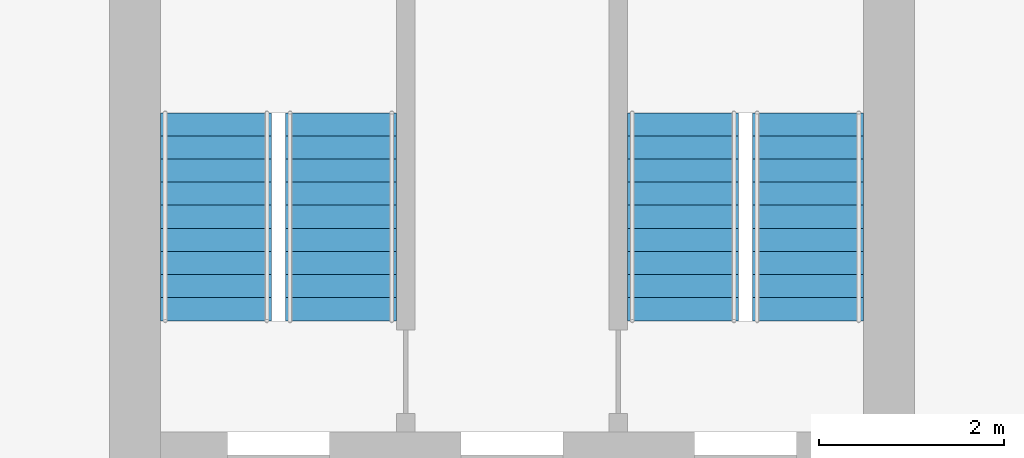
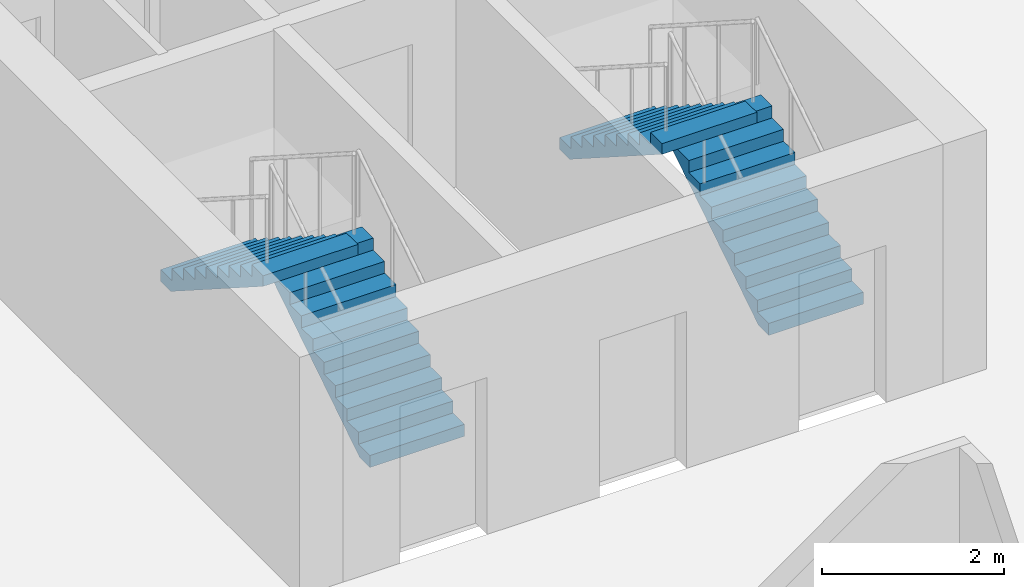
# One storey, part 10 of 13: 4 stair flights, 2 elements without a shape of their own.
"""IFC4 building model written with IfcOpenShell, lengths in metres."""

import ifcopenshell
import ifcopenshell.guid

model = None  # the IFC model being written
_history = None  # IfcOwnerHistory: only IFC2X3 demands one
_inside = {}  # id of a spatial element -> (the spatial element, [elements in it])
_under = {}  # id of a project, library or spatial element -> (it, [spatial elements below it])
_declared = {}  # id of a project -> (the project, [libraries it declares])
_typed = {}  # id of a type object -> (the type object, [elements of that type])
_made_of = {}  # id of a material, layer set ... -> (it, [elements and type objects made of it])


def new_model(schema):
    """Start an empty IFC model of exactly this schema.

    Asked for "IFC4X3", IfcOpenShell would pick the latest addendum, in which some entities
    have other attributes; the version numbers below select the first issue.
    IFC2X3 requires an IfcOwnerHistory on every rooted entity: one is made here for all.
    """
    global model, _history
    if schema == "IFC4X3":
        model = ifcopenshell.file(schema_version=(4, 3, 0, 0))
    else:
        model = ifcopenshell.file(schema=schema)
    _inside.clear()
    _under.clear()
    _declared.clear()
    _typed.clear()
    _made_of.clear()
    _history = None
    if model.schema == "IFC2X3":
        org = make("IfcOrganization", Name="unknown")
        user = make(
            "IfcPersonAndOrganization",
            ThePerson=make("IfcPerson", FamilyName="unknown"),
            TheOrganization=org,
        )
        app = make(
            "IfcApplication",
            ApplicationDeveloper=org,
            Version="unknown",
            ApplicationFullName="unknown",
            ApplicationIdentifier="unknown",
        )
        _history = make(
            "IfcOwnerHistory",
            OwningUser=user,
            OwningApplication=app,
            ChangeAction="ADDED",
            CreationDate=0,
        )
    return model


def make(cls, **values):
    """One entity of the class cls with the attributes given. An attribute that is None is left unset."""
    return model.create_entity(
        cls, **{name: value for name, value in values.items() if value is not None}
    )


def rooted(cls, **values):
    """An entity with a GlobalId (a new one), such as an element, a storey or a relation."""
    return make(cls, GlobalId=ifcopenshell.guid.new(), OwnerHistory=_history, **values)


def si_unit(unit_type, name, prefix=None):
    """IfcSIUnit, for example si_unit("LENGTHUNIT", "METRE", prefix="MILLI")."""
    return make("IfcSIUnit", UnitType=unit_type, Prefix=prefix, Name=name)


def assignment(units):
    """IfcUnitAssignment: the units of a project."""
    return None if units is None else make("IfcUnitAssignment", Units=units)


def point(xyz):
    """IfcCartesianPoint."""
    return None if xyz is None else make("IfcCartesianPoint", Coordinates=xyz)


def direction(xyz):
    """IfcDirection."""
    return None if xyz is None else make("IfcDirection", DirectionRatios=xyz)


def frame(location, z_axis=None, x_axis=None):
    """IfcAxis2Placement3D, a coordinate frame: its origin and axes. An axis left out is left unset."""
    return make(
        "IfcAxis2Placement3D",
        Location=point(location),
        Axis=direction(z_axis),
        RefDirection=direction(x_axis),
    )


def origin():
    """The frame at (0, 0, 0) with its axes left unset."""
    return frame((0.0, 0.0, 0.0))


def place(relative_to, where):
    """IfcLocalPlacement: puts the frame where relative to a parent placement (None: the world)."""
    return make(
        "IfcLocalPlacement", PlacementRelTo=relative_to, RelativePlacement=where
    )


def context(
    kind, dimensions, precision=None, world=None, true_north=None, identifier=None
):
    """IfcGeometricRepresentationContext, for example the 3D "Model" context."""
    return make(
        "IfcGeometricRepresentationContext",
        ContextIdentifier=identifier,
        ContextType=kind,
        CoordinateSpaceDimension=dimensions,
        Precision=precision,
        WorldCoordinateSystem=world,
        TrueNorth=true_north,
    )


def subcontext(parent, identifier, kind, view, scale=None):
    """IfcGeometricRepresentationSubContext, for example "Body" below "Model"."""
    return make(
        "IfcGeometricRepresentationSubContext",
        ContextIdentifier=identifier,
        ContextType=kind,
        ParentContext=parent,
        TargetScale=scale,
        TargetView=view,
    )


def project(units=None, contexts=None):
    """IfcProject with its units and contexts."""
    return rooted(
        "IfcProject",
        Name="project",
        RepresentationContexts=contexts,
        UnitsInContext=assignment(units),
    )


def spatial(cls, under=None, at=None, **own):
    """A site, building, storey or space (cls), placed at a placement, below another one or the project."""
    s = rooted(cls, ObjectPlacement=at, **own)
    if under is not None:
        _under.setdefault(under.id(), (under, []))[1].append(s)
    return s


def polyline(points):
    """IfcPolyline through the points."""
    return make("IfcPolyline", Points=[point(p) for p in points])


def outline(outer, holes=None, kind="AREA"):
    """IfcArbitraryClosedProfileDef: a profile drawn as a closed curve; with holes, ...WithVoids."""
    if holes is None:
        return make("IfcArbitraryClosedProfileDef", ProfileType=kind, OuterCurve=outer)
    return make(
        "IfcArbitraryProfileDefWithVoids",
        ProfileType=kind,
        OuterCurve=outer,
        InnerCurves=holes,
    )


def extrude(swept, where, along, depth):
    """IfcExtrudedAreaSolid: the profile swept, set in the frame where, extruded along a direction by depth."""
    return make(
        "IfcExtrudedAreaSolid",
        SweptArea=swept,
        Position=where,
        ExtrudedDirection=direction(along),
        Depth=depth,
    )


def shape(context_of_items, identifier, shape_type, items):
    """IfcShapeRepresentation: the items that make up one representation, for example the "Body"."""
    return make(
        "IfcShapeRepresentation",
        ContextOfItems=context_of_items,
        RepresentationIdentifier=identifier,
        RepresentationType=shape_type,
        Items=items,
    )


def material(Name=None, Category=None):
    """IfcMaterial."""
    return make("IfcMaterial", Name=Name, Category=Category)


def made_of(thing, what):
    """Note that an element or type object is made of a material, layer set ...; save() writes the relation."""
    if what is not None:
        _made_of.setdefault(what.id(), (what, []))[1].append(thing)
    return thing


def type_object(cls, material=None, **own):
    """A type object (cls), such as IfcWallType, which elements share."""
    return made_of(rooted(cls, **own), material)


def element(
    cls,
    number,
    at=None,
    inside=None,
    cuts=None,
    type_object=None,
    material=None,
    context=None,
    identifier="Body",
    shape_type=None,
    held_by="IfcProductDefinitionShape",
    body=None,
    shapes=None,
    **own,
):
    """One element of the class cls, such as IfcWall. Its Tag is "e" and its number.

    at: its placement. inside: the storey or other place that contains it. cuts: it is an
    opening in that element (IfcRelVoidsElement). A single representation is given by context,
    identifier, shape_type and body (its items); several are given by shapes. held_by: the class
    of the entity that holds the representations. save() writes the other relations.
    """
    e = rooted(cls, Tag="e%d" % number, ObjectPlacement=at, **own)
    if body is not None:
        shapes = [shape(context, identifier, shape_type, body)]
    if shapes is not None:
        e.Representation = make(held_by, Representations=shapes)
    if inside is not None:
        _inside.setdefault(inside.id(), (inside, []))[1].append(e)
    if cuts is not None:
        rooted(
            "IfcRelVoidsElement", RelatingBuildingElement=cuts, RelatedOpeningElement=e
        )
    if type_object is not None:
        _typed.setdefault(type_object.id(), (type_object, []))[1].append(e)
    return made_of(e, material)


def aggregate(whole, parts):
    """IfcRelAggregates: a whole, such as a stair, and the parts it consists of."""
    return rooted("IfcRelAggregates", RelatingObject=whole, RelatedObjects=parts)


def save(model, path):
    """Write the relations noted so far, then the file.

    IfcRelAggregates (storeys below a building ...), IfcRelContainedInSpatialStructure (elements
    in a storey), IfcRelDefinesByType, IfcRelAssociatesMaterial and IfcRelDeclares: one each for
    every whole, place, type object, material and project.
    """
    for whole, parts in _under.values():
        aggregate(whole, parts)
    for where, things in _inside.values():
        rooted(
            "IfcRelContainedInSpatialStructure",
            RelatedElements=things,
            RelatingStructure=where,
        )
    for kind, things in _typed.values():
        rooted("IfcRelDefinesByType", RelatedObjects=things, RelatingType=kind)
    for what, things in _made_of.values():
        rooted("IfcRelAssociatesMaterial", RelatedObjects=things, RelatingMaterial=what)
    for by, libraries in _declared.values():
        rooted("IfcRelDeclares", RelatingContext=by, RelatedDefinitions=libraries)
    model.write(path)


model = new_model("IFC4")

# Units and contexts
model_context = context("Model", 3, precision=1e-05, world=origin(), true_north=direction((0.0, 1.0)))
body_context = subcontext(model_context, "Body", "Model", "MODEL_VIEW")
ifc_project = project(units=[si_unit("LENGTHUNIT", "METRE"), si_unit("AREAUNIT", "SQUARE_METRE"), si_unit("VOLUMEUNIT", "CUBIC_METRE"), si_unit("PLANEANGLEUNIT", "RADIAN"), si_unit("MASSUNIT", "GRAM", prefix="KILO")], contexts=[model_context])

# Site, building, storey
site_placement = place(None, origin())
site = spatial("IfcSite", under=ifc_project, at=site_placement, CompositionType="ELEMENT")
building_placement = place(site_placement, origin())
building = spatial("IfcBuilding", under=site, at=building_placement, Name="Girih Gate Residences", CompositionType="ELEMENT")
storey_placement = place(building_placement, frame((0.0, 0.0, 89.60009765625)))
storey = spatial("IfcBuildingStorey", under=building, at=storey_placement, Name="L24", CompositionType="ELEMENT", Elevation=89.60009765625)

# Stair, stair flights
ifc_material = material(Name="Concrete C40/50", Category="concrete")
stair_type = type_object("IfcStairType", Name="Exit stair", PredefinedType="HALF_TURN_STAIR", material=ifc_material)
stair_1_placement = place(storey_placement, origin())
stair_1 = element("IfcStair", 1, at=stair_1_placement, inside=storey, type_object=stair_type, Name="L24 Exit Stair ST-E1", PredefinedType="HALF_TURN_STAIR")
stair_flight_type = type_object("IfcStairFlightType", Name="Stair flight 1200", PredefinedType="STRAIGHT", material=ifc_material)
stair_flight_1_placement = place(storey_placement, frame((43.699951171875, 28.89990234375, 0.0), z_axis=(0.0, 0.0, 1.0), x_axis=(0.0, 1.0, 0.0)))
stair_flight_1 = element("IfcStairFlight", 2, at=stair_flight_1_placement, type_object=stair_flight_type, Name="ST-E1 flight 1", NumberOfRisers=10, NumberOfTreads=9, PredefinedType="STRAIGHT", RiserHeight=0.16, TreadLength=0.25, context=body_context, shape_type="SweptSolid", body=[
    extrude(outline(polyline([(0.0, 0.0), (0.0, 0.159912109375), (0.25, 0.159912109375), (0.25, 0.320068359375), (0.5, 0.320068359375), (0.5, 0.47998046875), (0.75, 0.47998046875), (0.75, 0.639892578125), (1.0, 0.639892578125), (1.0, 0.800048828125), (1.25, 0.800048828125), (1.25, 0.9599609375), (1.5, 0.9599609375), (1.5, 1.1201171875), (1.75, 1.1201171875), (1.75, 1.280029296875), (2.0, 1.280029296875), (2.0, 1.43994140625), (2.25, 1.43994140625), (2.25, 1.60009765625), (2.25, 1.29736328125), (0.222900390625, 0.0), (0.0, 0.0)])), frame((0.0, 0.60009765625, 0.0), z_axis=(0.0, -1.0, 0.0), x_axis=(1.0, 0.0, 0.0)), (0.0, 0.0, 1.0), 1.199951171875),
])
stair_flight_2_placement = place(storey_placement, frame((42.35009765625, 31.14990234375, 1.599853515625), z_axis=(0.0, 0.0, 1.0), x_axis=(0.0, -1.0, 0.0)))
stair_flight_2 = element("IfcStairFlight", 3, at=stair_flight_2_placement, type_object=stair_flight_type, Name="ST-E1 flight 2", NumberOfRisers=10, NumberOfTreads=9, PredefinedType="STRAIGHT", RiserHeight=0.16, TreadLength=0.25, context=body_context, shape_type="SweptSolid", body=[
    extrude(outline(polyline([(0.0, 0.0), (0.0, 0.159912109375), (0.25, 0.159912109375), (0.25, 0.320068359375), (0.5, 0.320068359375), (0.5, 0.47998046875), (0.75, 0.47998046875), (0.75, 0.639892578125), (1.0, 0.639892578125), (1.0, 0.800048828125), (1.25, 0.800048828125), (1.25, 0.9599609375), (1.5, 0.9599609375), (1.5, 1.1201171875), (1.75, 1.1201171875), (1.75, 1.280029296875), (2.0, 1.280029296875), (2.0, 1.43994140625), (2.25, 1.43994140625), (2.25, 1.60009765625), (2.25, 1.29736328125), (0.222900390625, 0.0), (0.0, 0.0)])), frame((0.0, 0.60009765625, 0.0), z_axis=(0.0, -1.0, 0.0), x_axis=(1.0, 0.0, 0.0)), (0.0, 0.0, 1.0), 1.199951171875),
])
aggregate(stair_1, [stair_flight_1, stair_flight_2])

stair_2_placement = place(storey_placement, origin())
stair_2 = element("IfcStair", 4, at=stair_2_placement, inside=storey, type_object=stair_type, Name="L24 Exit Stair ST-E2", PredefinedType="HALF_TURN_STAIR")
stair_flight_3_placement = place(storey_placement, frame((38.64990234375, 28.89990234375, 0.0), z_axis=(0.0, 0.0, 1.0), x_axis=(0.0, 1.0, 0.0)))
stair_flight_3 = element("IfcStairFlight", 5, at=stair_flight_3_placement, type_object=stair_flight_type, Name="ST-E2 flight 1", NumberOfRisers=10, NumberOfTreads=9, PredefinedType="STRAIGHT", RiserHeight=0.16, TreadLength=0.25, context=body_context, shape_type="SweptSolid", body=[
    extrude(outline(polyline([(0.0, 0.0), (0.0, 0.159912109375), (0.25, 0.159912109375), (0.25, 0.320068359375), (0.5, 0.320068359375), (0.5, 0.47998046875), (0.75, 0.47998046875), (0.75, 0.639892578125), (1.0, 0.639892578125), (1.0, 0.800048828125), (1.25, 0.800048828125), (1.25, 0.9599609375), (1.5, 0.9599609375), (1.5, 1.1201171875), (1.75, 1.1201171875), (1.75, 1.280029296875), (2.0, 1.280029296875), (2.0, 1.43994140625), (2.25, 1.43994140625), (2.25, 1.60009765625), (2.25, 1.29736328125), (0.222900390625, 0.0), (0.0, 0.0)])), frame((0.0, 0.60009765625, 0.0), z_axis=(0.0, -1.0, 0.0), x_axis=(1.0, 0.0, 0.0)), (0.0, 0.0, 1.0), 1.199951171875),
])
stair_flight_4_placement = place(storey_placement, frame((37.300048828125, 31.14990234375, 1.599853515625), z_axis=(0.0, 0.0, 1.0), x_axis=(0.0, -1.0, 0.0)))
stair_flight_4 = element("IfcStairFlight", 6, at=stair_flight_4_placement, type_object=stair_flight_type, Name="ST-E2 flight 2", NumberOfRisers=10, NumberOfTreads=9, PredefinedType="STRAIGHT", RiserHeight=0.16, TreadLength=0.25, context=body_context, shape_type="SweptSolid", body=[
    extrude(outline(polyline([(0.0, 0.0), (0.0, 0.159912109375), (0.25, 0.159912109375), (0.25, 0.320068359375), (0.5, 0.320068359375), (0.5, 0.47998046875), (0.75, 0.47998046875), (0.75, 0.639892578125), (1.0, 0.639892578125), (1.0, 0.800048828125), (1.25, 0.800048828125), (1.25, 0.9599609375), (1.5, 0.9599609375), (1.5, 1.1201171875), (1.75, 1.1201171875), (1.75, 1.280029296875), (2.0, 1.280029296875), (2.0, 1.43994140625), (2.25, 1.43994140625), (2.25, 1.60009765625), (2.25, 1.29736328125), (0.222900390625, 0.0), (0.0, 0.0)])), frame((0.0, 0.60009765625, 0.0), z_axis=(0.0, -1.0, 0.0), x_axis=(1.0, 0.0, 0.0)), (0.0, 0.0, 1.0), 1.199951171875),
])
aggregate(stair_2, [stair_flight_3, stair_flight_4])

save(model, "model.ifc")
